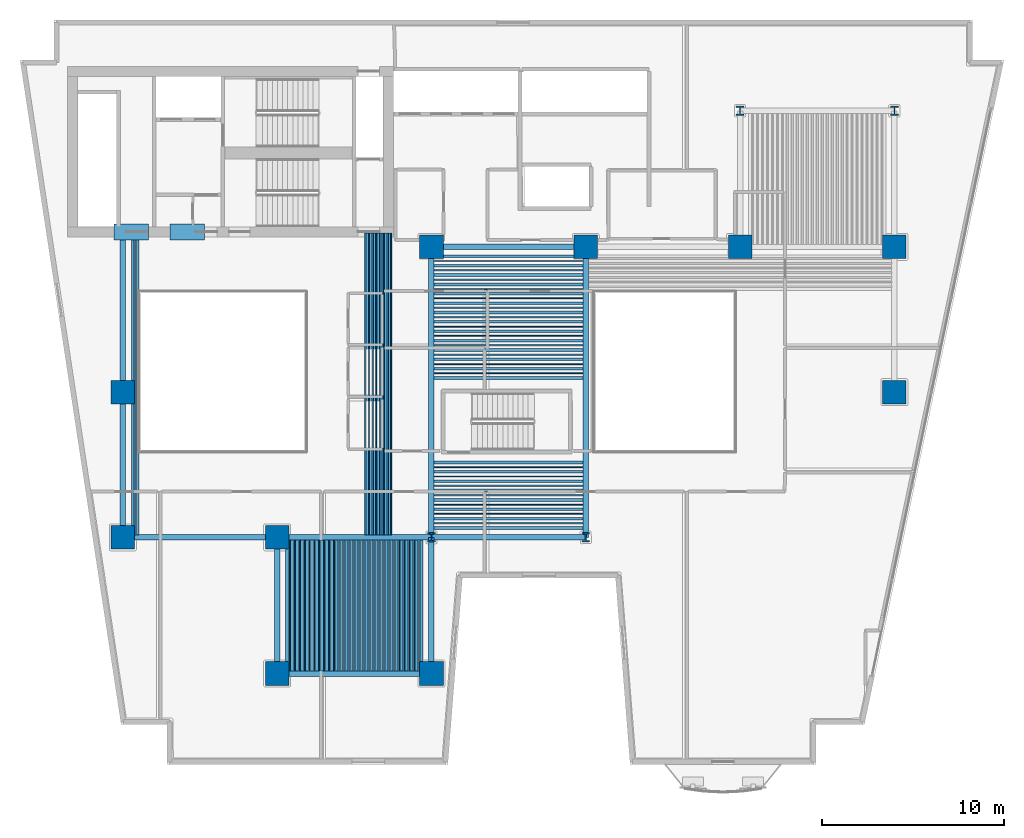
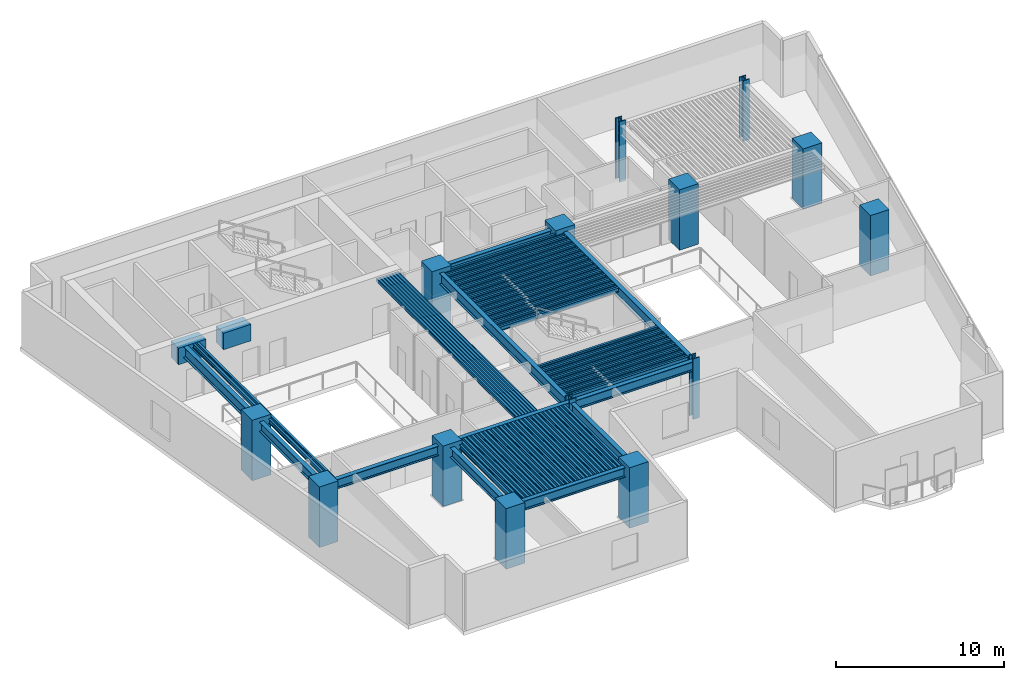
# One storey, part 1 of 12: 128 beams, 14 columns.
"""IFC4 building model written with IfcOpenShell, lengths in metres."""

from ifc_helpers import new_model, si_unit, direction, frame, origin, origin_2d, place, context, subcontext, project, spatial, rectangle, hollow_rectangle, i_section, extrude, material, material_profile, profile_set, type_object, element, save


model = new_model("IFC4")

# Units and contexts
model_context = context("Model", 3, precision=1e-05, world=origin(), true_north=direction((0.0, 1.0)))
body_context = subcontext(model_context, "Body", "Model", "MODEL_VIEW")
ifc_project = project(units=[si_unit("LENGTHUNIT", "METRE"), si_unit("AREAUNIT", "SQUARE_METRE"), si_unit("VOLUMEUNIT", "CUBIC_METRE"), si_unit("PLANEANGLEUNIT", "RADIAN"), si_unit("MASSUNIT", "GRAM", prefix="KILO")], contexts=[model_context])

# Site, building, storey
site_placement = place(None, origin())
site = spatial("IfcSite", under=ifc_project, at=site_placement, CompositionType="ELEMENT")
building_placement = place(site_placement, origin())
building = spatial("IfcBuilding", under=site, at=building_placement, Name="Caeloran Harvest Quay", CompositionType="ELEMENT")
storey_placement = place(building_placement, frame((0.0, 0.0, 79.800048828125)))
storey = spatial("IfcBuildingStorey", under=building, at=storey_placement, Name="L18", CompositionType="ELEMENT", Elevation=79.800048828125)

# Columns
ifc_material_1 = material(Name="Concrete C80/95", Category="concrete")
ifc_material_profile_1 = material_profile(ifc_material_1, rectangle(XDim=1.300048828125, YDim=1.300048828125, at=origin_2d()), Name="RC 1300x1300")
ifc_profile_set_1 = profile_set([ifc_material_profile_1], Name="Concrete C80/95")
column_type_1 = type_object("IfcColumnType", Name="COL-MC-2-RC_1300x1300", PredefinedType="COLUMN", material=ifc_profile_set_1)
for number, where, z_axis, x_axis, name in (
    (1, (8.5, 15.0, 0.0), (0.0, 0.0, 1.0), (1.0, 0.0, 0.0), "L18 Structural Column (8.5, 15.0)"),
    (2, (8.5, 23.0, 0.0), (0.0, 0.0, 1.0), (1.0, 0.0, 0.0), "L18 Structural Column (8.5, 23.0)"),
    (3, (17.0, 7.5, 0.0), (0.0, 0.0, 1.0), (1.0, 0.0, 0.0), "L18 Structural Column (17.0, 7.5)"),
    (4, (17.0, 15.0, 0.0), (0.0, 0.0, 1.0), (1.0, 0.0, 0.0), "L18 Structural Column (17.0, 15.0)"),
    (5, (25.5, 7.5, 0.0), (0.0, 0.0, 1.0), (1.0, 0.0, 0.0), "L18 Structural Column (25.5, 7.5)"),
    (6, (25.5, 31.0, 0.0), (0.0, 0.0, 1.0), (1.0, 0.0, 0.0), "L18 Structural Column (25.5, 31.0)"),
    (7, (34.0, 31.0, 0.0), (0.0, 0.0, 1.0), (1.0, 0.0, 0.0), "L18 Structural Column (34.0, 31.0)"),
    (8, (42.5, 31.0, 0.0), (0.0, 0.0, 1.0), (1.0, 0.0, 0.0), "L18 Structural Column (42.5, 31.0)"),
    (9, (51.0, 23.0, 0.0), (0.0, 0.0, 1.0), (1.0, 0.0, 0.0), "L18 Structural Column (51.0, 23.0)"),
    (10, (51.0, 31.0, 0.0), (0.0, 0.0, 1.0), (1.0, 0.0, 0.0), "L18 Structural Column (51.0, 31.0)"),
):
    element("IfcColumn", number, at=place(storey_placement, frame(where, z_axis=z_axis, x_axis=x_axis)), inside=storey, type_object=column_type_1, Name=name, PredefinedType="COLUMN", context=body_context, shape_type="SweptSolid", body=[
        extrude(rectangle(XDim=1.300048828125, YDim=1.300048828125, at=origin_2d()), origin(), (0.0, 0.0, 1.0), 4.39990234375),
    ])
ifc_material_2 = material(Name="Steel HISTAR 460", Category="steel")
ifc_material_profile_2 = material_profile(ifc_material_2, i_section(OverallWidth=0.43701171875, OverallDepth=0.513916015625, WebThickness=0.060546875, FlangeThickness=0.076904296875, FilletRadius=0.014892578125, at=origin_2d()), Name="HD 400x818")
ifc_profile_set_2 = profile_set([ifc_material_profile_2], Name="Steel HISTAR 460")
column_type_2 = type_object("IfcColumnType", Name="COL-SC-2-HD_400x818", PredefinedType="COLUMN", material=ifc_profile_set_2)
for number, where, z_axis, x_axis, name in (
    (11, (25.5, 15.0, 0.0), (0.0, 0.0, 1.0), (1.0, 0.0, 0.0), "L18 Structural Column (25.5, 15.0)"),
    (12, (34.0, 15.0, 0.0), (0.0, 0.0, 1.0), (1.0, 0.0, 0.0), "L18 Structural Column (34.0, 15.0)"),
    (13, (42.5, 38.5, 0.0), (0.0, 0.0, 1.0), (1.0, 0.0, 0.0), "L18 Structural Column (42.5, 38.5)"),
    (14, (51.0, 38.5, 0.0), (0.0, 0.0, 1.0), (1.0, 0.0, 0.0), "L18 Structural Column (51.0, 38.5)"),
):
    element("IfcColumn", number, at=place(storey_placement, frame(where, z_axis=z_axis, x_axis=x_axis)), inside=storey, type_object=column_type_2, Name=name, PredefinedType="COLUMN", context=body_context, shape_type="SweptSolid", body=[
        extrude(i_section(OverallWidth=0.43701171875, OverallDepth=0.513916015625, WebThickness=0.060546875, FlangeThickness=0.076904296875, FilletRadius=0.014892578125, at=origin_2d()), origin(), (0.0, 0.0, 1.0), 4.39990234375),
    ])

# Beams
ifc_material_profile_3 = material_profile(ifc_material_1, rectangle(XDim=0.89990234375, YDim=1.199951171875, at=origin_2d()), Name="RC 900x1200")
ifc_profile_set_3 = profile_set([ifc_material_profile_3], Name="Concrete C80/95")
beam_type_1 = type_object("IfcBeamType", Name="BM-CB-1-RC_900x1200", PredefinedType="LINTEL", material=ifc_profile_set_3)
for number, where, z_axis, x_axis, name in (
    (15, (8.0, 31.824951171875, 3.514892578125), (1.0, 0.0, 0.0), (0.0, 1.0, 0.0), "L18 Core Coupling Beam 1"),
    (16, (11.10009765625, 31.824951171875, 3.514892578125), (1.0, 0.0, 0.0), (0.0, 1.0, 0.0), "L18 Core Coupling Beam 2"),
):
    element("IfcBeam", number, at=place(storey_placement, frame(where, z_axis=z_axis, x_axis=x_axis)), inside=storey, type_object=beam_type_1, Name=name, PredefinedType="LINTEL", context=body_context, shape_type="SweptSolid", body=[
        extrude(rectangle(XDim=0.89990234375, YDim=1.199951171875, at=origin_2d()), origin(), (0.0, 0.0, 1.0), 1.89990234375),
    ])
ifc_material_3 = material(Name="Steel S355J2", Category="steel")
ifc_material_profile_4 = material_profile(ifc_material_3, i_section(OverallWidth=0.300048828125, OverallDepth=0.800048828125, WebThickness=0.017578125, FlangeThickness=0.032958984375, FilletRadius=0.030029296875, at=origin_2d()), Name="HE 800 B")
ifc_profile_set_4 = profile_set([ifc_material_profile_4], Name="Steel S355J2")
beam_type_2 = type_object("IfcBeamType", Name="BM-PG-1-HE_800_B", PredefinedType="BEAM", material=ifc_profile_set_4)
beam_1_placement = place(storey_placement, frame((8.5, 23.0, 3.71484375), z_axis=(0.0, 1.0, 0.0), x_axis=(-1.0, 0.0, 0.0)))
element("IfcBeam", 17, at=beam_1_placement, inside=storey, type_object=beam_type_2, Name="L18 Core South Tie Girder X=8.5", PredefinedType="BEAM", context=body_context, shape_type="SweptSolid", body=[
    extrude(i_section(OverallWidth=0.300048828125, OverallDepth=0.800048828125, WebThickness=0.017578125, FlangeThickness=0.032958984375, FilletRadius=0.030029296875, at=origin_2d()), origin(), (0.0, 0.0, 1.0), 8.77490234375),
])
for number, where, z_axis, x_axis, name in (
    (18, (25.5, 15.0, 3.71484375), (0.0, 1.0, 0.0), (-1.0, 0.0, 0.0), "L18 Primary North-South Girder X=25.5"),
    (19, (34.0, 15.0, 3.71484375), (0.0, 1.0, 0.0), (-1.0, 0.0, 0.0), "L18 Primary North-South Girder X=34.0"),
):
    element("IfcBeam", number, at=place(storey_placement, frame(where, z_axis=z_axis, x_axis=x_axis)), inside=storey, type_object=beam_type_2, Name=name, PredefinedType="BEAM", context=body_context, shape_type="SweptSolid", body=[
        extrude(i_section(OverallWidth=0.300048828125, OverallDepth=0.800048828125, WebThickness=0.017578125, FlangeThickness=0.032958984375, FilletRadius=0.030029296875, at=origin_2d()), origin(), (0.0, 0.0, 1.0), 16.0),
    ])
ifc_material_profile_5 = material_profile(ifc_material_3, i_section(OverallWidth=0.300048828125, OverallDepth=0.699951171875, WebThickness=0.01708984375, FlangeThickness=0.031982421875, FilletRadius=0.027099609375, at=origin_2d()), Name="HE 700 B")
ifc_profile_set_5 = profile_set([ifc_material_profile_5], Name="Steel S355J2")
beam_type_3 = type_object("IfcBeamType", Name="BM-PG-2-HE_700_B", PredefinedType="BEAM", material=ifc_profile_set_5)
for number, where, z_axis, x_axis, name in (
    (20, (17.0, 7.5, 3.764892578125), (1.0, 0.0, 0.0), (0.0, 1.0, 0.0), "L18 Primary East-West Girder Y=7.5"),
    (21, (8.5, 15.0, 3.764892578125), (1.0, 0.0, 0.0), (0.0, 1.0, 0.0), "L18 Primary East-West Girder Y=15.0"),
    (22, (17.0, 15.0, 3.764892578125), (1.0, 0.0, 0.0), (0.0, 1.0, 0.0), "L18 Primary East-West Girder Y=15.0"),
    (23, (25.5, 15.0, 3.764892578125), (1.0, 0.0, 0.0), (0.0, 1.0, 0.0), "L18 Primary East-West Girder Y=15.0"),
    (24, (25.5, 31.0, 3.764892578125), (1.0, 0.0, 0.0), (0.0, 1.0, 0.0), "L18 Primary East-West Girder Y=31.0"),
):
    element("IfcBeam", number, at=place(storey_placement, frame(where, z_axis=z_axis, x_axis=x_axis)), inside=storey, type_object=beam_type_3, Name=name, PredefinedType="BEAM", context=body_context, shape_type="SweptSolid", body=[
        extrude(i_section(OverallWidth=0.300048828125, OverallDepth=0.699951171875, WebThickness=0.01708984375, FlangeThickness=0.031982421875, FilletRadius=0.027099609375, at=origin_2d()), origin(), (0.0, 0.0, 1.0), 8.5),
    ])
beam_2_placement = place(storey_placement, frame((8.5, 15.0, 3.764892578125), z_axis=(0.0, 1.0, 0.0), x_axis=(-1.0, 0.0, 0.0)))
element("IfcBeam", 25, at=beam_2_placement, inside=storey, type_object=beam_type_3, Name="L18 Primary North-South Girder X=8.5", PredefinedType="BEAM", context=body_context, shape_type="SweptSolid", body=[
    extrude(i_section(OverallWidth=0.300048828125, OverallDepth=0.699951171875, WebThickness=0.01708984375, FlangeThickness=0.031982421875, FilletRadius=0.027099609375, at=origin_2d()), origin(), (0.0, 0.0, 1.0), 8.0),
])
for number, where, z_axis, x_axis, name in (
    (26, (17.0, 7.5, 3.764892578125), (0.0, 1.0, 0.0), (-1.0, 0.0, 0.0), "L18 Primary North-South Girder X=17.0"),
    (27, (25.5, 7.5, 3.764892578125), (0.0, 1.0, 0.0), (-1.0, 0.0, 0.0), "L18 Primary North-South Girder X=25.5"),
):
    element("IfcBeam", number, at=place(storey_placement, frame(where, z_axis=z_axis, x_axis=x_axis)), inside=storey, type_object=beam_type_3, Name=name, PredefinedType="BEAM", context=body_context, shape_type="SweptSolid", body=[
        extrude(i_section(OverallWidth=0.300048828125, OverallDepth=0.699951171875, WebThickness=0.01708984375, FlangeThickness=0.031982421875, FilletRadius=0.027099609375, at=origin_2d()), origin(), (0.0, 0.0, 1.0), 7.5),
    ])
ifc_material_profile_6 = material_profile(ifc_material_3, i_section(OverallWidth=0.14990234375, OverallDepth=0.300048828125, WebThickness=0.007080078125, FlangeThickness=0.0107421875, FilletRadius=0.014892578125, at=origin_2d()), Name="IPE 300")
ifc_profile_set_6 = profile_set([ifc_material_profile_6], Name="Steel S355J2")
beam_type_4 = type_object("IfcBeamType", Name="BM-SB-6-IPE_300", PredefinedType="JOIST", material=ifc_profile_set_6)
for number, where, z_axis, x_axis, name in (
    (28, (17.54833984375, 7.64501953125, 3.96484375), (0.0, 1.0, 0.0), (-1.0, 0.0, 0.0), "L18 Secondary Composite Joist"),
    (29, (17.822509765625, 7.64501953125, 3.96484375), (0.0, 1.0, 0.0), (-1.0, 0.0, 0.0), "L18 Secondary Composite Joist"),
    (30, (18.0966796875, 7.64501953125, 3.96484375), (0.0, 1.0, 0.0), (-1.0, 0.0, 0.0), "L18 Secondary Composite Joist"),
    (31, (18.37109375, 7.64501953125, 3.96484375), (0.0, 1.0, 0.0), (-1.0, 0.0, 0.0), "L18 Secondary Composite Joist"),
    (32, (18.645263671875, 7.64501953125, 3.96484375), (0.0, 1.0, 0.0), (-1.0, 0.0, 0.0), "L18 Secondary Composite Joist"),
    (33, (18.91943359375, 7.64501953125, 3.96484375), (0.0, 1.0, 0.0), (-1.0, 0.0, 0.0), "L18 Secondary Composite Joist"),
    (34, (19.193603515625, 7.64501953125, 3.96484375), (0.0, 1.0, 0.0), (-1.0, 0.0, 0.0), "L18 Secondary Composite Joist"),
    (35, (19.4677734375, 7.64501953125, 3.96484375), (0.0, 1.0, 0.0), (-1.0, 0.0, 0.0), "L18 Secondary Composite Joist"),
    (36, (19.741943359375, 7.64501953125, 3.96484375), (0.0, 1.0, 0.0), (-1.0, 0.0, 0.0), "L18 Secondary Composite Joist"),
    (37, (20.01611328125, 7.64501953125, 3.96484375), (0.0, 1.0, 0.0), (-1.0, 0.0, 0.0), "L18 Secondary Composite Joist"),
    (38, (20.290283203125, 7.64501953125, 3.96484375), (0.0, 1.0, 0.0), (-1.0, 0.0, 0.0), "L18 Secondary Composite Joist"),
    (39, (20.564453125, 7.64501953125, 3.96484375), (0.0, 1.0, 0.0), (-1.0, 0.0, 0.0), "L18 Secondary Composite Joist"),
    (40, (20.838623046875, 7.64501953125, 3.96484375), (0.0, 1.0, 0.0), (-1.0, 0.0, 0.0), "L18 Secondary Composite Joist"),
    (41, (21.11279296875, 7.64501953125, 3.96484375), (0.0, 1.0, 0.0), (-1.0, 0.0, 0.0), "L18 Secondary Composite Joist"),
    (42, (21.38720703125, 7.64501953125, 3.96484375), (0.0, 1.0, 0.0), (-1.0, 0.0, 0.0), "L18 Secondary Composite Joist"),
    (43, (21.661376953125, 7.64501953125, 3.96484375), (0.0, 1.0, 0.0), (-1.0, 0.0, 0.0), "L18 Secondary Composite Joist"),
    (44, (21.935546875, 7.64501953125, 3.96484375), (0.0, 1.0, 0.0), (-1.0, 0.0, 0.0), "L18 Secondary Composite Joist"),
    (45, (22.209716796875, 7.64501953125, 3.96484375), (0.0, 1.0, 0.0), (-1.0, 0.0, 0.0), "L18 Secondary Composite Joist"),
    (46, (22.48388671875, 7.64501953125, 3.96484375), (0.0, 1.0, 0.0), (-1.0, 0.0, 0.0), "L18 Secondary Composite Joist"),
    (47, (22.758056640625, 7.64501953125, 3.96484375), (0.0, 1.0, 0.0), (-1.0, 0.0, 0.0), "L18 Secondary Composite Joist"),
    (48, (23.0322265625, 7.64501953125, 3.96484375), (0.0, 1.0, 0.0), (-1.0, 0.0, 0.0), "L18 Secondary Composite Joist"),
    (49, (23.306396484375, 7.64501953125, 3.96484375), (0.0, 1.0, 0.0), (-1.0, 0.0, 0.0), "L18 Secondary Composite Joist"),
    (50, (23.58056640625, 7.64501953125, 3.96484375), (0.0, 1.0, 0.0), (-1.0, 0.0, 0.0), "L18 Secondary Composite Joist"),
    (51, (23.854736328125, 7.64501953125, 3.96484375), (0.0, 1.0, 0.0), (-1.0, 0.0, 0.0), "L18 Secondary Composite Joist"),
    (52, (24.12890625, 7.64501953125, 3.96484375), (0.0, 1.0, 0.0), (-1.0, 0.0, 0.0), "L18 Secondary Composite Joist"),
    (53, (24.4033203125, 7.64501953125, 3.96484375), (0.0, 1.0, 0.0), (-1.0, 0.0, 0.0), "L18 Secondary Composite Joist"),
    (54, (24.677490234375, 7.64501953125, 3.96484375), (0.0, 1.0, 0.0), (-1.0, 0.0, 0.0), "L18 Secondary Composite Joist"),
    (55, (24.95166015625, 7.64501953125, 3.96484375), (0.0, 1.0, 0.0), (-1.0, 0.0, 0.0), "L18 Secondary Composite Joist"),
):
    element("IfcBeam", number, at=place(storey_placement, frame(where, z_axis=z_axis, x_axis=x_axis)), inside=storey, type_object=beam_type_4, Name=name, PredefinedType="JOIST", context=body_context, shape_type="SweptSolid", body=[
        extrude(i_section(OverallWidth=0.14990234375, OverallDepth=0.300048828125, WebThickness=0.007080078125, FlangeThickness=0.0107421875, FilletRadius=0.014892578125, at=origin_2d()), origin(), (0.0, 0.0, 1.0), 7.2099609375),
    ])
for number, where, z_axis, x_axis, name in (
    (56, (9.04833984375, 15.14501953125, 3.96484375), (0.0, 1.0, 0.0), (-1.0, 0.0, 0.0), "L18 Secondary Composite Joist"),
    (57, (9.322509765625, 15.14501953125, 3.96484375), (0.0, 1.0, 0.0), (-1.0, 0.0, 0.0), "L18 Secondary Composite Joist"),
    (58, (21.954833984375, 15.14501953125, 3.96484375), (0.0, 1.0, 0.0), (-1.0, 0.0, 0.0), "L18 Secondary Composite Joist"),
    (59, (22.161376953125, 15.14501953125, 3.96484375), (0.0, 1.0, 0.0), (-1.0, 0.0, 0.0), "L18 Secondary Composite Joist"),
    (60, (22.36767578125, 15.14501953125, 3.96484375), (0.0, 1.0, 0.0), (-1.0, 0.0, 0.0), "L18 Secondary Composite Joist"),
    (61, (22.57421875, 15.14501953125, 3.96484375), (0.0, 1.0, 0.0), (-1.0, 0.0, 0.0), "L18 Secondary Composite Joist"),
    (62, (22.780517578125, 15.14501953125, 3.96484375), (0.0, 1.0, 0.0), (-1.0, 0.0, 0.0), "L18 Secondary Composite Joist"),
    (63, (22.987060546875, 15.14501953125, 3.96484375), (0.0, 1.0, 0.0), (-1.0, 0.0, 0.0), "L18 Secondary Composite Joist"),
    (64, (23.193603515625, 15.14501953125, 3.96484375), (0.0, 1.0, 0.0), (-1.0, 0.0, 0.0), "L18 Secondary Composite Joist"),
):
    element("IfcBeam", number, at=place(storey_placement, frame(where, z_axis=z_axis, x_axis=x_axis)), inside=storey, type_object=beam_type_4, Name=name, PredefinedType="JOIST", context=body_context, shape_type="SweptSolid", body=[
        extrude(i_section(OverallWidth=0.14990234375, OverallDepth=0.300048828125, WebThickness=0.007080078125, FlangeThickness=0.0107421875, FilletRadius=0.014892578125, at=origin_2d()), origin(), (0.0, 0.0, 1.0), 16.6298828125),
    ])
for number, where, z_axis, x_axis, name in (
    (65, (25.64501953125, 15.51611328125, 3.96484375), (1.0, 0.0, 0.0), (0.0, 1.0, 0.0), "L18 Secondary East-West Composite Joist"),
    (66, (25.64501953125, 16.0322265625, 3.96484375), (1.0, 0.0, 0.0), (0.0, 1.0, 0.0), "L18 Secondary East-West Composite Joist"),
    (67, (25.64501953125, 16.54833984375, 3.96484375), (1.0, 0.0, 0.0), (0.0, 1.0, 0.0), "L18 Secondary East-West Composite Joist"),
    (68, (25.64501953125, 17.064453125, 3.96484375), (1.0, 0.0, 0.0), (0.0, 1.0, 0.0), "L18 Secondary East-West Composite Joist"),
    (69, (25.64501953125, 17.58056640625, 3.96484375), (1.0, 0.0, 0.0), (0.0, 1.0, 0.0), "L18 Secondary East-West Composite Joist"),
    (70, (25.64501953125, 18.0966796875, 3.96484375), (1.0, 0.0, 0.0), (0.0, 1.0, 0.0), "L18 Secondary East-West Composite Joist"),
    (71, (25.64501953125, 18.61279296875, 3.96484375), (1.0, 0.0, 0.0), (0.0, 1.0, 0.0), "L18 Secondary East-West Composite Joist"),
    (72, (25.64501953125, 19.12890625, 3.96484375), (1.0, 0.0, 0.0), (0.0, 1.0, 0.0), "L18 Secondary East-West Composite Joist"),
    (73, (25.64501953125, 23.774169921875, 3.96484375), (1.0, 0.0, 0.0), (0.0, 1.0, 0.0), "L18 Secondary East-West Composite Joist"),
    (74, (25.64501953125, 24.290283203125, 3.96484375), (1.0, 0.0, 0.0), (0.0, 1.0, 0.0), "L18 Secondary East-West Composite Joist"),
    (75, (25.64501953125, 24.806396484375, 3.96484375), (1.0, 0.0, 0.0), (0.0, 1.0, 0.0), "L18 Secondary East-West Composite Joist"),
    (76, (25.64501953125, 25.322509765625, 3.96484375), (1.0, 0.0, 0.0), (0.0, 1.0, 0.0), "L18 Secondary East-West Composite Joist"),
    (77, (25.64501953125, 25.838623046875, 3.96484375), (1.0, 0.0, 0.0), (0.0, 1.0, 0.0), "L18 Secondary East-West Composite Joist"),
    (78, (25.64501953125, 26.354736328125, 3.96484375), (1.0, 0.0, 0.0), (0.0, 1.0, 0.0), "L18 Secondary East-West Composite Joist"),
    (79, (25.64501953125, 26.87109375, 3.96484375), (1.0, 0.0, 0.0), (0.0, 1.0, 0.0), "L18 Secondary East-West Composite Joist"),
    (80, (25.64501953125, 27.38720703125, 3.96484375), (1.0, 0.0, 0.0), (0.0, 1.0, 0.0), "L18 Secondary East-West Composite Joist"),
    (81, (25.64501953125, 27.9033203125, 3.96484375), (1.0, 0.0, 0.0), (0.0, 1.0, 0.0), "L18 Secondary East-West Composite Joist"),
    (82, (25.64501953125, 28.41943359375, 3.96484375), (1.0, 0.0, 0.0), (0.0, 1.0, 0.0), "L18 Secondary East-West Composite Joist"),
    (83, (25.64501953125, 28.935546875, 3.96484375), (1.0, 0.0, 0.0), (0.0, 1.0, 0.0), "L18 Secondary East-West Composite Joist"),
    (84, (25.64501953125, 29.45166015625, 3.96484375), (1.0, 0.0, 0.0), (0.0, 1.0, 0.0), "L18 Secondary East-West Composite Joist"),
    (85, (25.64501953125, 29.9677734375, 3.96484375), (1.0, 0.0, 0.0), (0.0, 1.0, 0.0), "L18 Secondary East-West Composite Joist"),
    (86, (25.64501953125, 30.48388671875, 3.96484375), (1.0, 0.0, 0.0), (0.0, 1.0, 0.0), "L18 Secondary East-West Composite Joist"),
):
    element("IfcBeam", number, at=place(storey_placement, frame(where, z_axis=z_axis, x_axis=x_axis)), inside=storey, type_object=beam_type_4, Name=name, PredefinedType="JOIST", context=body_context, shape_type="SweptSolid", body=[
        extrude(i_section(OverallWidth=0.14990234375, OverallDepth=0.300048828125, WebThickness=0.007080078125, FlangeThickness=0.0107421875, FilletRadius=0.014892578125, at=origin_2d()), origin(), (0.0, 0.0, 1.0), 8.2099609375),
    ])
ifc_material_profile_7 = material_profile(ifc_material_3, hollow_rectangle(XDim=0.080078125, YDim=0.199951171875, WallThickness=0.006103515625, InnerFilletRadius=0.006103515625, OuterFilletRadius=0.009033203125, at=origin_2d()), Name="RHS 200x80x6")
ifc_profile_set_7 = profile_set([ifc_material_profile_7], Name="Steel S355J2")
beam_type_5 = type_object("IfcBeamType", Name="BM-SB-7-RHS_200x80x6", PredefinedType="JOIST", material=ifc_profile_set_7)
for number, where, z_axis, x_axis, name in (
    (87, (17.685546875, 7.64501953125, 4.014892578125), (0.0, 1.0, 0.0), (-1.0, 0.0, 0.0), "L18 Secondary Composite Joist"),
    (88, (17.959716796875, 7.64501953125, 4.014892578125), (0.0, 1.0, 0.0), (-1.0, 0.0, 0.0), "L18 Secondary Composite Joist"),
    (89, (18.23388671875, 7.64501953125, 4.014892578125), (0.0, 1.0, 0.0), (-1.0, 0.0, 0.0), "L18 Secondary Composite Joist"),
    (90, (18.508056640625, 7.64501953125, 4.014892578125), (0.0, 1.0, 0.0), (-1.0, 0.0, 0.0), "L18 Secondary Composite Joist"),
    (91, (18.7822265625, 7.64501953125, 4.014892578125), (0.0, 1.0, 0.0), (-1.0, 0.0, 0.0), "L18 Secondary Composite Joist"),
    (92, (19.056396484375, 7.64501953125, 4.014892578125), (0.0, 1.0, 0.0), (-1.0, 0.0, 0.0), "L18 Secondary Composite Joist"),
    (93, (19.33056640625, 7.64501953125, 4.014892578125), (0.0, 1.0, 0.0), (-1.0, 0.0, 0.0), "L18 Secondary Composite Joist"),
    (94, (19.604736328125, 7.64501953125, 4.014892578125), (0.0, 1.0, 0.0), (-1.0, 0.0, 0.0), "L18 Secondary Composite Joist"),
    (95, (19.87890625, 7.64501953125, 4.014892578125), (0.0, 1.0, 0.0), (-1.0, 0.0, 0.0), "L18 Secondary Composite Joist"),
    (96, (20.1533203125, 7.64501953125, 4.014892578125), (0.0, 1.0, 0.0), (-1.0, 0.0, 0.0), "L18 Secondary Composite Joist"),
    (97, (20.427490234375, 7.64501953125, 4.014892578125), (0.0, 1.0, 0.0), (-1.0, 0.0, 0.0), "L18 Secondary Composite Joist"),
    (98, (20.70166015625, 7.64501953125, 4.014892578125), (0.0, 1.0, 0.0), (-1.0, 0.0, 0.0), "L18 Secondary Composite Joist"),
    (99, (20.975830078125, 7.64501953125, 4.014892578125), (0.0, 1.0, 0.0), (-1.0, 0.0, 0.0), "L18 Secondary Composite Joist"),
    (100, (21.25, 7.64501953125, 4.014892578125), (0.0, 1.0, 0.0), (-1.0, 0.0, 0.0), "L18 Secondary Composite Joist"),
    (101, (21.524169921875, 7.64501953125, 4.014892578125), (0.0, 1.0, 0.0), (-1.0, 0.0, 0.0), "L18 Secondary Composite Joist"),
    (102, (21.79833984375, 7.64501953125, 4.014892578125), (0.0, 1.0, 0.0), (-1.0, 0.0, 0.0), "L18 Secondary Composite Joist"),
    (103, (22.072509765625, 7.64501953125, 4.014892578125), (0.0, 1.0, 0.0), (-1.0, 0.0, 0.0), "L18 Secondary Composite Joist"),
    (104, (22.3466796875, 7.64501953125, 4.014892578125), (0.0, 1.0, 0.0), (-1.0, 0.0, 0.0), "L18 Secondary Composite Joist"),
    (105, (22.62109375, 7.64501953125, 4.014892578125), (0.0, 1.0, 0.0), (-1.0, 0.0, 0.0), "L18 Secondary Composite Joist"),
    (106, (22.895263671875, 7.64501953125, 4.014892578125), (0.0, 1.0, 0.0), (-1.0, 0.0, 0.0), "L18 Secondary Composite Joist"),
    (107, (23.16943359375, 7.64501953125, 4.014892578125), (0.0, 1.0, 0.0), (-1.0, 0.0, 0.0), "L18 Secondary Composite Joist"),
    (108, (23.443603515625, 7.64501953125, 4.014892578125), (0.0, 1.0, 0.0), (-1.0, 0.0, 0.0), "L18 Secondary Composite Joist"),
    (109, (23.7177734375, 7.64501953125, 4.014892578125), (0.0, 1.0, 0.0), (-1.0, 0.0, 0.0), "L18 Secondary Composite Joist"),
    (110, (23.991943359375, 7.64501953125, 4.014892578125), (0.0, 1.0, 0.0), (-1.0, 0.0, 0.0), "L18 Secondary Composite Joist"),
    (111, (24.26611328125, 7.64501953125, 4.014892578125), (0.0, 1.0, 0.0), (-1.0, 0.0, 0.0), "L18 Secondary Composite Joist"),
    (112, (24.540283203125, 7.64501953125, 4.014892578125), (0.0, 1.0, 0.0), (-1.0, 0.0, 0.0), "L18 Secondary Composite Joist"),
    (113, (24.814453125, 7.64501953125, 4.014892578125), (0.0, 1.0, 0.0), (-1.0, 0.0, 0.0), "L18 Secondary Composite Joist"),
):
    element("IfcBeam", number, at=place(storey_placement, frame(where, z_axis=z_axis, x_axis=x_axis)), inside=storey, type_object=beam_type_5, Name=name, PredefinedType="JOIST", context=body_context, shape_type="SweptSolid", body=[
        extrude(hollow_rectangle(XDim=0.080078125, YDim=0.199951171875, WallThickness=0.006103515625, InnerFilletRadius=0.006103515625, OuterFilletRadius=0.009033203125, at=origin_2d()), origin(), (0.0, 0.0, 1.0), 7.2099609375),
    ])
for number, where, z_axis, x_axis, name in (
    (114, (9.185546875, 15.14501953125, 4.014892578125), (0.0, 1.0, 0.0), (-1.0, 0.0, 0.0), "L18 Secondary Composite Joist"),
    (115, (21.8515625, 15.14501953125, 4.014892578125), (0.0, 1.0, 0.0), (-1.0, 0.0, 0.0), "L18 Secondary Composite Joist"),
    (116, (22.05810546875, 15.14501953125, 4.014892578125), (0.0, 1.0, 0.0), (-1.0, 0.0, 0.0), "L18 Secondary Composite Joist"),
    (117, (22.264404296875, 15.14501953125, 4.014892578125), (0.0, 1.0, 0.0), (-1.0, 0.0, 0.0), "L18 Secondary Composite Joist"),
    (118, (22.470947265625, 15.14501953125, 4.014892578125), (0.0, 1.0, 0.0), (-1.0, 0.0, 0.0), "L18 Secondary Composite Joist"),
    (119, (22.677490234375, 15.14501953125, 4.014892578125), (0.0, 1.0, 0.0), (-1.0, 0.0, 0.0), "L18 Secondary Composite Joist"),
    (120, (22.8837890625, 15.14501953125, 4.014892578125), (0.0, 1.0, 0.0), (-1.0, 0.0, 0.0), "L18 Secondary Composite Joist"),
    (121, (23.09033203125, 15.14501953125, 4.014892578125), (0.0, 1.0, 0.0), (-1.0, 0.0, 0.0), "L18 Secondary Composite Joist"),
    (122, (23.296875, 15.14501953125, 4.014892578125), (0.0, 1.0, 0.0), (-1.0, 0.0, 0.0), "L18 Secondary Composite Joist"),
):
    element("IfcBeam", number, at=place(storey_placement, frame(where, z_axis=z_axis, x_axis=x_axis)), inside=storey, type_object=beam_type_5, Name=name, PredefinedType="JOIST", context=body_context, shape_type="SweptSolid", body=[
        extrude(hollow_rectangle(XDim=0.080078125, YDim=0.199951171875, WallThickness=0.006103515625, InnerFilletRadius=0.006103515625, OuterFilletRadius=0.009033203125, at=origin_2d()), origin(), (0.0, 0.0, 1.0), 16.6298828125),
    ])
for number, where, z_axis, x_axis, name in (
    (123, (25.64501953125, 15.774169921875, 4.014892578125), (1.0, 0.0, 0.0), (0.0, 1.0, 0.0), "L18 Secondary East-West Composite Joist"),
    (124, (25.64501953125, 16.290283203125, 4.014892578125), (1.0, 0.0, 0.0), (0.0, 1.0, 0.0), "L18 Secondary East-West Composite Joist"),
    (125, (25.64501953125, 16.806396484375, 4.014892578125), (1.0, 0.0, 0.0), (0.0, 1.0, 0.0), "L18 Secondary East-West Composite Joist"),
    (126, (25.64501953125, 17.322509765625, 4.014892578125), (1.0, 0.0, 0.0), (0.0, 1.0, 0.0), "L18 Secondary East-West Composite Joist"),
    (127, (25.64501953125, 17.838623046875, 4.014892578125), (1.0, 0.0, 0.0), (0.0, 1.0, 0.0), "L18 Secondary East-West Composite Joist"),
    (128, (25.64501953125, 18.354736328125, 4.014892578125), (1.0, 0.0, 0.0), (0.0, 1.0, 0.0), "L18 Secondary East-West Composite Joist"),
    (129, (25.64501953125, 18.87109375, 4.014892578125), (1.0, 0.0, 0.0), (0.0, 1.0, 0.0), "L18 Secondary East-West Composite Joist"),
    (130, (25.64501953125, 24.0322265625, 4.014892578125), (1.0, 0.0, 0.0), (0.0, 1.0, 0.0), "L18 Secondary East-West Composite Joist"),
    (131, (25.64501953125, 24.54833984375, 4.014892578125), (1.0, 0.0, 0.0), (0.0, 1.0, 0.0), "L18 Secondary East-West Composite Joist"),
    (132, (25.64501953125, 25.064453125, 4.014892578125), (1.0, 0.0, 0.0), (0.0, 1.0, 0.0), "L18 Secondary East-West Composite Joist"),
    (133, (25.64501953125, 25.58056640625, 4.014892578125), (1.0, 0.0, 0.0), (0.0, 1.0, 0.0), "L18 Secondary East-West Composite Joist"),
    (134, (25.64501953125, 26.0966796875, 4.014892578125), (1.0, 0.0, 0.0), (0.0, 1.0, 0.0), "L18 Secondary East-West Composite Joist"),
    (135, (25.64501953125, 26.61279296875, 4.014892578125), (1.0, 0.0, 0.0), (0.0, 1.0, 0.0), "L18 Secondary East-West Composite Joist"),
    (136, (25.64501953125, 27.12890625, 4.014892578125), (1.0, 0.0, 0.0), (0.0, 1.0, 0.0), "L18 Secondary East-West Composite Joist"),
    (137, (25.64501953125, 27.645263671875, 4.014892578125), (1.0, 0.0, 0.0), (0.0, 1.0, 0.0), "L18 Secondary East-West Composite Joist"),
    (138, (25.64501953125, 28.161376953125, 4.014892578125), (1.0, 0.0, 0.0), (0.0, 1.0, 0.0), "L18 Secondary East-West Composite Joist"),
    (139, (25.64501953125, 28.677490234375, 4.014892578125), (1.0, 0.0, 0.0), (0.0, 1.0, 0.0), "L18 Secondary East-West Composite Joist"),
    (140, (25.64501953125, 29.193603515625, 4.014892578125), (1.0, 0.0, 0.0), (0.0, 1.0, 0.0), "L18 Secondary East-West Composite Joist"),
    (141, (25.64501953125, 29.709716796875, 4.014892578125), (1.0, 0.0, 0.0), (0.0, 1.0, 0.0), "L18 Secondary East-West Composite Joist"),
    (142, (25.64501953125, 30.225830078125, 4.014892578125), (1.0, 0.0, 0.0), (0.0, 1.0, 0.0), "L18 Secondary East-West Composite Joist"),
):
    element("IfcBeam", number, at=place(storey_placement, frame(where, z_axis=z_axis, x_axis=x_axis)), inside=storey, type_object=beam_type_5, Name=name, PredefinedType="JOIST", context=body_context, shape_type="SweptSolid", body=[
        extrude(hollow_rectangle(XDim=0.080078125, YDim=0.199951171875, WallThickness=0.006103515625, InnerFilletRadius=0.006103515625, OuterFilletRadius=0.009033203125, at=origin_2d()), origin(), (0.0, 0.0, 1.0), 8.2099609375),
    ])

save(model, "model.ifc")
